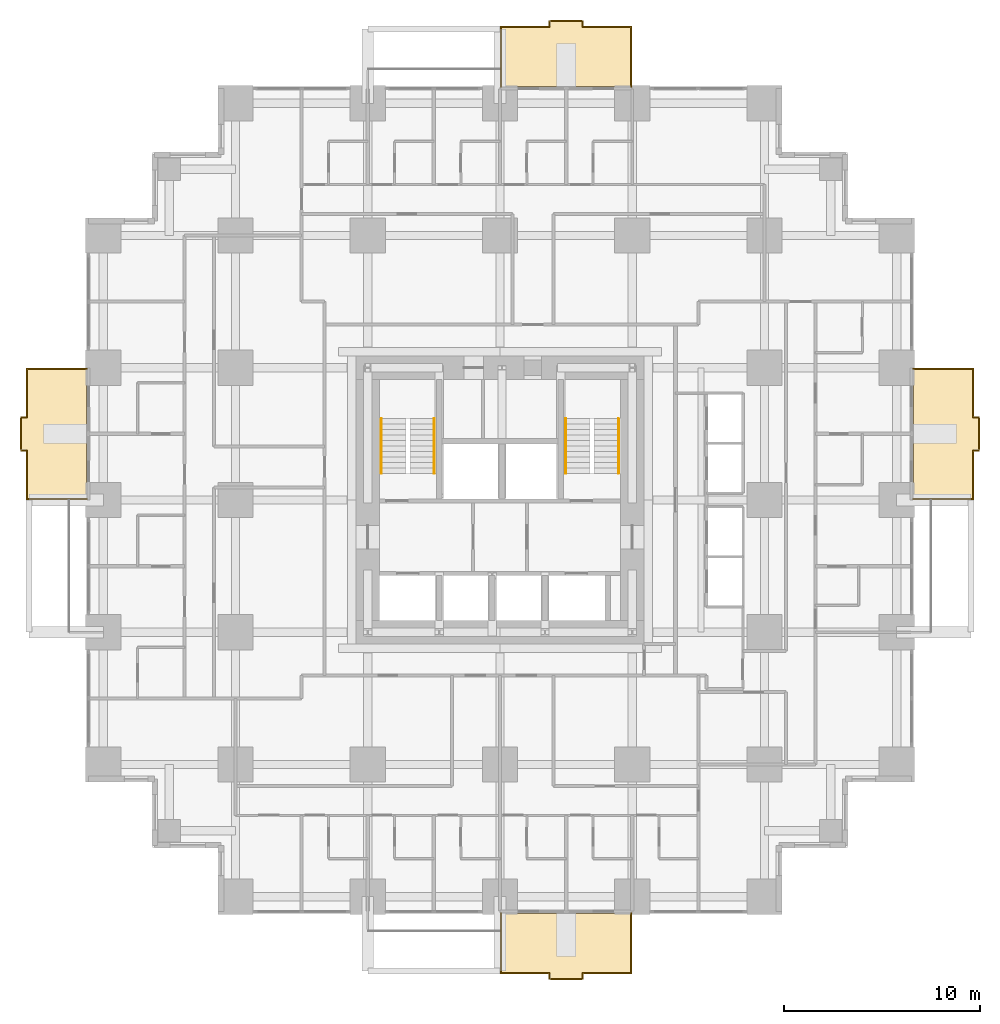
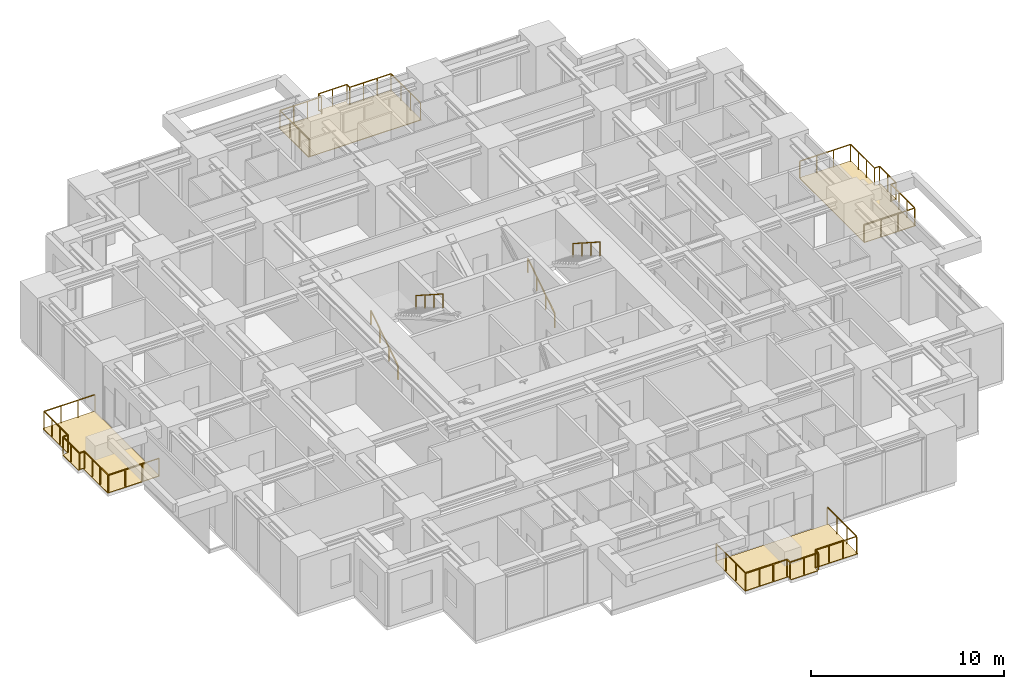
# One storey, part 14 of 14: 8 railings, 4 coverings.
"""IFC4 building model written with IfcOpenShell, lengths in metres."""

from ifc_helpers import new_model, si_unit, direction, frame, origin, origin_2d, place, context, subcontext, project, spatial, polyline, rectangle, outline, extrude, material, layer, layer_set, type_object, element, save


model = new_model("IFC4")

# Units and contexts
model_context = context("Model", 3, precision=1e-05, world=origin(), true_north=direction((0.0, 1.0)))
body_context = subcontext(model_context, "Body", "Model", "MODEL_VIEW")
ifc_project = project(units=[si_unit("LENGTHUNIT", "METRE"), si_unit("AREAUNIT", "SQUARE_METRE"), si_unit("VOLUMEUNIT", "CUBIC_METRE"), si_unit("PLANEANGLEUNIT", "RADIAN"), si_unit("MASSUNIT", "GRAM", prefix="KILO")], contexts=[model_context])

# Site, building, storey
site_placement = place(None, origin())
site = spatial("IfcSite", under=ifc_project, at=site_placement, CompositionType="ELEMENT")
building_placement = place(site_placement, origin())
building = spatial("IfcBuilding", under=site, at=building_placement, Name="Nyansa Garden Tower", CompositionType="ELEMENT")
storey_placement = place(building_placement, frame((0.0, 0.0, 64.800048828125)))
storey = spatial("IfcBuildingStorey", under=building, at=storey_placement, Name="L17", CompositionType="ELEMENT", Elevation=64.800048828125)

# Coverings
ifc_material_1 = material(Name="Hardwood decking on pedestals", Category="wood")
ifc_layer = layer(ifc_material_1, 0.0400390625)
ifc_layer_set = layer_set([ifc_layer], Name="Balcony decking DK40")
covering_type = type_object("IfcCoveringType", Name="Balcony decking DK40", PredefinedType="FLOORING", material=ifc_layer_set)
covering_1_placement = place(storey_placement, frame((0.0, 0.0, -0.0400390625)))
element("IfcCovering", 1, at=covering_1_placement, inside=storey, type_object=covering_type, Name="Balcony decking L17", PredefinedType="FLOORING", context=body_context, shape_type="SweptSolid", body=[
    extrude(outline(polyline([(20.25, -0.85009765625), (27.0, -0.85009765625), (27.0, -3.949951171875), (24.425048828125, -3.949951171875), (24.425048828125, -4.25), (22.824951171875, -4.25), (22.824951171875, -3.949951171875), (20.25, -3.949951171875), (20.25, -0.85009765625)])), origin(), (0.0, 0.0, 1.0), 0.0400390625),
])
covering_2_placement = place(storey_placement, frame((0.0, 0.0, -0.0400390625)))
element("IfcCovering", 2, at=covering_2_placement, inside=storey, type_object=covering_type, Name="Balcony decking L17", PredefinedType="FLOORING", context=body_context, shape_type="SweptSolid", body=[
    extrude(outline(polyline([(41.35009765625, 20.25), (41.35009765625, 27.0), (44.449951171875, 27.0), (44.449951171875, 24.425048828125), (44.75, 24.425048828125), (44.75, 22.824951171875), (44.449951171875, 22.824951171875), (44.449951171875, 20.25), (41.35009765625, 20.25)])), origin(), (0.0, 0.0, 1.0), 0.0400390625),
])
covering_3_placement = place(storey_placement, frame((0.0, 0.0, -0.0400390625)))
element("IfcCovering", 3, at=covering_3_placement, inside=storey, type_object=covering_type, Name="Balcony decking L17", PredefinedType="FLOORING", context=body_context, shape_type="SweptSolid", body=[
    extrude(outline(polyline([(20.25, 41.35009765625), (27.0, 41.35009765625), (27.0, 44.449951171875), (24.425048828125, 44.449951171875), (24.425048828125, 44.75), (22.824951171875, 44.75), (22.824951171875, 44.449951171875), (20.25, 44.449951171875), (20.25, 41.35009765625)])), origin(), (0.0, 0.0, 1.0), 0.0400390625),
])
covering_4_placement = place(storey_placement, frame((0.0, 0.0, -0.0400390625)))
element("IfcCovering", 4, at=covering_4_placement, inside=storey, type_object=covering_type, Name="Balcony decking L17", PredefinedType="FLOORING", context=body_context, shape_type="SweptSolid", body=[
    extrude(outline(polyline([(-0.85009765625, 20.25), (-0.85009765625, 27.0), (-3.949951171875, 27.0), (-3.949951171875, 24.425048828125), (-4.25, 24.425048828125), (-4.25, 22.824951171875), (-3.949951171875, 22.824951171875), (-3.949951171875, 20.25), (-0.85009765625, 20.25)])), origin(), (0.0, 0.0, 1.0), 0.0400390625),
])

# Railings
ifc_material_2 = material(Name="Black powder-coated steel balusters, laminated glass infill", Category="steel")
railing_type_1 = type_object("IfcRailingType", Name="Balcony guard G1", PredefinedType="GUARDRAIL", material=ifc_material_2)
railing_1_placement = place(storey_placement, frame((20.300048828125, -0.85009765625, 0.0)))
element("IfcRailing", 5, at=railing_1_placement, inside=storey, type_object=railing_type_1, Name="Balcony guard L17", PredefinedType="GUARDRAIL", context=body_context, shape_type="SweptSolid", body=[
    extrude(rectangle(XDim=0.048095703125, YDim=0.048095703125, at=origin_2d()), frame((0.0, 0.0, 1.076171875), z_axis=(0.0, -1.0, 0.0), x_axis=(1.0, 0.0, 0.0)), (0.0, 0.0, 1.0), 3.0498046875),
    extrude(rectangle(XDim=0.048095703125, YDim=0.048095703125, at=origin_2d()), frame((0.0, -3.0498046875, 1.076171875), z_axis=(1.0, 0.0, 0.0), x_axis=(0.0, 1.0, 0.0)), (0.0, 0.0, 1.0), 2.474853515625),
    extrude(rectangle(XDim=0.048095703125, YDim=0.048095703125, at=origin_2d()), frame((2.474853515625, -3.0498046875, 1.076171875), z_axis=(0.0, -1.0, 0.0), x_axis=(1.0, 0.0, 0.0)), (0.0, 0.0, 1.0), 0.300048828125),
    extrude(rectangle(XDim=0.048095703125, YDim=0.048095703125, at=origin_2d()), frame((2.474853515625, -3.349853515625, 1.076171875), z_axis=(1.0, 0.0, 0.0), x_axis=(0.0, 1.0, 0.0)), (0.0, 0.0, 1.0), 1.7001953125),
    extrude(rectangle(XDim=0.048095703125, YDim=0.048095703125, at=origin_2d()), frame((4.175048828125, -3.349853515625, 1.076171875), z_axis=(0.0, 1.0, 0.0), x_axis=(-1.0, 0.0, 0.0)), (0.0, 0.0, 1.0), 0.300048828125),
    extrude(rectangle(XDim=0.048095703125, YDim=0.048095703125, at=origin_2d()), frame((4.175048828125, -3.0498046875, 1.076171875), z_axis=(1.0, 0.0, 0.0), x_axis=(0.0, 1.0, 0.0)), (0.0, 0.0, 1.0), 2.474853515625),
    extrude(rectangle(XDim=0.048095703125, YDim=0.048095703125, at=origin_2d()), frame((6.64990234375, -3.0498046875, 1.076171875), z_axis=(0.0, 1.0, 0.0), x_axis=(-1.0, 0.0, 0.0)), (0.0, 0.0, 1.0), 3.0498046875),
    extrude(rectangle(XDim=0.0419921875, YDim=0.0419921875, at=origin_2d()), origin(), (0.0, 0.0, 1.0), 1.052001953125),
    extrude(rectangle(XDim=0.0419921875, YDim=0.0419921875, at=origin_2d()), frame((0.0, -1.0166015625, 0.0)), (0.0, 0.0, 1.0), 1.052001953125),
    extrude(rectangle(XDim=0.0419921875, YDim=0.0419921875, at=origin_2d()), frame((0.0, -2.033203125, 0.0)), (0.0, 0.0, 1.0), 1.052001953125),
    extrude(rectangle(XDim=0.0419921875, YDim=0.0419921875, at=origin_2d()), frame((0.0, -3.0498046875, 0.0)), (0.0, 0.0, 1.0), 1.052001953125),
    extrude(rectangle(XDim=0.0419921875, YDim=0.0419921875, at=origin_2d()), frame((0.824951171875, -3.0498046875, 0.0)), (0.0, 0.0, 1.0), 1.052001953125),
    extrude(rectangle(XDim=0.0419921875, YDim=0.0419921875, at=origin_2d()), frame((1.64990234375, -3.0498046875, 0.0)), (0.0, 0.0, 1.0), 1.052001953125),
    extrude(rectangle(XDim=0.0419921875, YDim=0.0419921875, at=origin_2d()), frame((2.474853515625, -3.0498046875, 0.0)), (0.0, 0.0, 1.0), 1.052001953125),
    extrude(rectangle(XDim=0.0419921875, YDim=0.0419921875, at=origin_2d()), frame((2.474853515625, -3.349853515625, 0.0)), (0.0, 0.0, 1.0), 1.052001953125),
    extrude(rectangle(XDim=0.0419921875, YDim=0.0419921875, at=origin_2d()), frame((3.324951171875, -3.349853515625, 0.0)), (0.0, 0.0, 1.0), 1.052001953125),
    extrude(rectangle(XDim=0.0419921875, YDim=0.0419921875, at=origin_2d()), frame((4.175048828125, -3.349853515625, 0.0)), (0.0, 0.0, 1.0), 1.052001953125),
    extrude(rectangle(XDim=0.0419921875, YDim=0.0419921875, at=origin_2d()), frame((4.175048828125, -3.0498046875, 0.0)), (0.0, 0.0, 1.0), 1.052001953125),
    extrude(rectangle(XDim=0.0419921875, YDim=0.0419921875, at=origin_2d()), frame((5.0, -3.0498046875, 0.0)), (0.0, 0.0, 1.0), 1.052001953125),
    extrude(rectangle(XDim=0.0419921875, YDim=0.0419921875, at=origin_2d()), frame((5.824951171875, -3.0498046875, 0.0)), (0.0, 0.0, 1.0), 1.052001953125),
    extrude(rectangle(XDim=0.0419921875, YDim=0.0419921875, at=origin_2d()), frame((6.64990234375, -3.0498046875, 0.0)), (0.0, 0.0, 1.0), 1.052001953125),
    extrude(rectangle(XDim=0.0419921875, YDim=0.0419921875, at=origin_2d()), frame((6.64990234375, -2.033203125, 0.0)), (0.0, 0.0, 1.0), 1.052001953125),
    extrude(rectangle(XDim=0.0419921875, YDim=0.0419921875, at=origin_2d()), frame((6.64990234375, -1.0166015625, 0.0)), (0.0, 0.0, 1.0), 1.052001953125),
    extrude(rectangle(XDim=0.0419921875, YDim=0.0419921875, at=origin_2d()), frame((6.64990234375, 0.0, 0.0)), (0.0, 0.0, 1.0), 1.052001953125),
])
railing_2_placement = place(storey_placement, frame((41.35009765625, 20.300048828125, 0.0)))
element("IfcRailing", 6, at=railing_2_placement, inside=storey, type_object=railing_type_1, Name="Balcony guard L17", PredefinedType="GUARDRAIL", context=body_context, shape_type="SweptSolid", body=[
    extrude(rectangle(XDim=0.048095703125, YDim=0.048095703125, at=origin_2d()), frame((0.0, 0.0, 1.076171875), z_axis=(1.0, 0.0, 0.0), x_axis=(0.0, 1.0, 0.0)), (0.0, 0.0, 1.0), 3.0498046875),
    extrude(rectangle(XDim=0.048095703125, YDim=0.048095703125, at=origin_2d()), frame((3.0498046875, 0.0, 1.076171875), z_axis=(0.0, 1.0, 0.0), x_axis=(-1.0, 0.0, 0.0)), (0.0, 0.0, 1.0), 2.474853515625),
    extrude(rectangle(XDim=0.048095703125, YDim=0.048095703125, at=origin_2d()), frame((3.0498046875, 2.474853515625, 1.076171875), z_axis=(1.0, 0.0, 0.0), x_axis=(0.0, 1.0, 0.0)), (0.0, 0.0, 1.0), 0.300048828125),
    extrude(rectangle(XDim=0.048095703125, YDim=0.048095703125, at=origin_2d()), frame((3.349853515625, 2.474853515625, 1.076171875), z_axis=(0.0, 1.0, 0.0), x_axis=(-1.0, 0.0, 0.0)), (0.0, 0.0, 1.0), 1.7001953125),
    extrude(rectangle(XDim=0.048095703125, YDim=0.048095703125, at=origin_2d()), frame((3.349853515625, 4.175048828125, 1.076171875), z_axis=(-1.0, 0.0, 0.0), x_axis=(0.0, -1.0, 0.0)), (0.0, 0.0, 1.0), 0.300048828125),
    extrude(rectangle(XDim=0.048095703125, YDim=0.048095703125, at=origin_2d()), frame((3.0498046875, 4.175048828125, 1.076171875), z_axis=(0.0, 1.0, 0.0), x_axis=(-1.0, 0.0, 0.0)), (0.0, 0.0, 1.0), 2.474853515625),
    extrude(rectangle(XDim=0.048095703125, YDim=0.048095703125, at=origin_2d()), frame((3.0498046875, 6.64990234375, 1.076171875), z_axis=(-1.0, 0.0, 0.0), x_axis=(0.0, -1.0, 0.0)), (0.0, 0.0, 1.0), 3.0498046875),
    extrude(rectangle(XDim=0.0419921875, YDim=0.0419921875, at=origin_2d()), origin(), (0.0, 0.0, 1.0), 1.052001953125),
    extrude(rectangle(XDim=0.0419921875, YDim=0.0419921875, at=origin_2d()), frame((1.0166015625, 0.0, 0.0)), (0.0, 0.0, 1.0), 1.052001953125),
    extrude(rectangle(XDim=0.0419921875, YDim=0.0419921875, at=origin_2d()), frame((2.033203125, 0.0, 0.0)), (0.0, 0.0, 1.0), 1.052001953125),
    extrude(rectangle(XDim=0.0419921875, YDim=0.0419921875, at=origin_2d()), frame((3.0498046875, 0.0, 0.0)), (0.0, 0.0, 1.0), 1.052001953125),
    extrude(rectangle(XDim=0.0419921875, YDim=0.0419921875, at=origin_2d()), frame((3.0498046875, 0.824951171875, 0.0)), (0.0, 0.0, 1.0), 1.052001953125),
    extrude(rectangle(XDim=0.0419921875, YDim=0.0419921875, at=origin_2d()), frame((3.0498046875, 1.64990234375, 0.0)), (0.0, 0.0, 1.0), 1.052001953125),
    extrude(rectangle(XDim=0.0419921875, YDim=0.0419921875, at=origin_2d()), frame((3.0498046875, 2.474853515625, 0.0)), (0.0, 0.0, 1.0), 1.052001953125),
    extrude(rectangle(XDim=0.0419921875, YDim=0.0419921875, at=origin_2d()), frame((3.349853515625, 2.474853515625, 0.0)), (0.0, 0.0, 1.0), 1.052001953125),
    extrude(rectangle(XDim=0.0419921875, YDim=0.0419921875, at=origin_2d()), frame((3.349853515625, 3.324951171875, 0.0)), (0.0, 0.0, 1.0), 1.052001953125),
    extrude(rectangle(XDim=0.0419921875, YDim=0.0419921875, at=origin_2d()), frame((3.349853515625, 4.175048828125, 0.0)), (0.0, 0.0, 1.0), 1.052001953125),
    extrude(rectangle(XDim=0.0419921875, YDim=0.0419921875, at=origin_2d()), frame((3.0498046875, 4.175048828125, 0.0)), (0.0, 0.0, 1.0), 1.052001953125),
    extrude(rectangle(XDim=0.0419921875, YDim=0.0419921875, at=origin_2d()), frame((3.0498046875, 5.0, 0.0)), (0.0, 0.0, 1.0), 1.052001953125),
    extrude(rectangle(XDim=0.0419921875, YDim=0.0419921875, at=origin_2d()), frame((3.0498046875, 5.824951171875, 0.0)), (0.0, 0.0, 1.0), 1.052001953125),
    extrude(rectangle(XDim=0.0419921875, YDim=0.0419921875, at=origin_2d()), frame((3.0498046875, 6.64990234375, 0.0)), (0.0, 0.0, 1.0), 1.052001953125),
    extrude(rectangle(XDim=0.0419921875, YDim=0.0419921875, at=origin_2d()), frame((2.033203125, 6.64990234375, 0.0)), (0.0, 0.0, 1.0), 1.052001953125),
    extrude(rectangle(XDim=0.0419921875, YDim=0.0419921875, at=origin_2d()), frame((1.0166015625, 6.64990234375, 0.0)), (0.0, 0.0, 1.0), 1.052001953125),
    extrude(rectangle(XDim=0.0419921875, YDim=0.0419921875, at=origin_2d()), frame((0.0, 6.64990234375, 0.0)), (0.0, 0.0, 1.0), 1.052001953125),
])
railing_3_placement = place(storey_placement, frame((20.300048828125, 41.35009765625, 0.0)))
element("IfcRailing", 7, at=railing_3_placement, inside=storey, type_object=railing_type_1, Name="Balcony guard L17", PredefinedType="GUARDRAIL", context=body_context, shape_type="SweptSolid", body=[
    extrude(rectangle(XDim=0.048095703125, YDim=0.048095703125, at=origin_2d()), frame((0.0, 0.0, 1.076171875), z_axis=(0.0, 1.0, 0.0), x_axis=(-1.0, 0.0, 0.0)), (0.0, 0.0, 1.0), 3.0498046875),
    extrude(rectangle(XDim=0.048095703125, YDim=0.048095703125, at=origin_2d()), frame((0.0, 3.0498046875, 1.076171875), z_axis=(1.0, 0.0, 0.0), x_axis=(0.0, 1.0, 0.0)), (0.0, 0.0, 1.0), 2.474853515625),
    extrude(rectangle(XDim=0.048095703125, YDim=0.048095703125, at=origin_2d()), frame((2.474853515625, 3.0498046875, 1.076171875), z_axis=(0.0, 1.0, 0.0), x_axis=(-1.0, 0.0, 0.0)), (0.0, 0.0, 1.0), 0.300048828125),
    extrude(rectangle(XDim=0.048095703125, YDim=0.048095703125, at=origin_2d()), frame((2.474853515625, 3.349853515625, 1.076171875), z_axis=(1.0, 0.0, 0.0), x_axis=(0.0, 1.0, 0.0)), (0.0, 0.0, 1.0), 1.7001953125),
    extrude(rectangle(XDim=0.048095703125, YDim=0.048095703125, at=origin_2d()), frame((4.175048828125, 3.349853515625, 1.076171875), z_axis=(0.0, -1.0, 0.0), x_axis=(1.0, 0.0, 0.0)), (0.0, 0.0, 1.0), 0.300048828125),
    extrude(rectangle(XDim=0.048095703125, YDim=0.048095703125, at=origin_2d()), frame((4.175048828125, 3.0498046875, 1.076171875), z_axis=(1.0, 0.0, 0.0), x_axis=(0.0, 1.0, 0.0)), (0.0, 0.0, 1.0), 2.474853515625),
    extrude(rectangle(XDim=0.048095703125, YDim=0.048095703125, at=origin_2d()), frame((6.64990234375, 3.0498046875, 1.076171875), z_axis=(0.0, -1.0, 0.0), x_axis=(1.0, 0.0, 0.0)), (0.0, 0.0, 1.0), 3.0498046875),
    extrude(rectangle(XDim=0.0419921875, YDim=0.0419921875, at=origin_2d()), origin(), (0.0, 0.0, 1.0), 1.052001953125),
    extrude(rectangle(XDim=0.0419921875, YDim=0.0419921875, at=origin_2d()), frame((0.0, 1.0166015625, 0.0)), (0.0, 0.0, 1.0), 1.052001953125),
    extrude(rectangle(XDim=0.0419921875, YDim=0.0419921875, at=origin_2d()), frame((0.0, 2.033203125, 0.0)), (0.0, 0.0, 1.0), 1.052001953125),
    extrude(rectangle(XDim=0.0419921875, YDim=0.0419921875, at=origin_2d()), frame((0.0, 3.0498046875, 0.0)), (0.0, 0.0, 1.0), 1.052001953125),
    extrude(rectangle(XDim=0.0419921875, YDim=0.0419921875, at=origin_2d()), frame((0.824951171875, 3.0498046875, 0.0)), (0.0, 0.0, 1.0), 1.052001953125),
    extrude(rectangle(XDim=0.0419921875, YDim=0.0419921875, at=origin_2d()), frame((1.64990234375, 3.0498046875, 0.0)), (0.0, 0.0, 1.0), 1.052001953125),
    extrude(rectangle(XDim=0.0419921875, YDim=0.0419921875, at=origin_2d()), frame((2.474853515625, 3.0498046875, 0.0)), (0.0, 0.0, 1.0), 1.052001953125),
    extrude(rectangle(XDim=0.0419921875, YDim=0.0419921875, at=origin_2d()), frame((2.474853515625, 3.349853515625, 0.0)), (0.0, 0.0, 1.0), 1.052001953125),
    extrude(rectangle(XDim=0.0419921875, YDim=0.0419921875, at=origin_2d()), frame((3.324951171875, 3.349853515625, 0.0)), (0.0, 0.0, 1.0), 1.052001953125),
    extrude(rectangle(XDim=0.0419921875, YDim=0.0419921875, at=origin_2d()), frame((4.175048828125, 3.349853515625, 0.0)), (0.0, 0.0, 1.0), 1.052001953125),
    extrude(rectangle(XDim=0.0419921875, YDim=0.0419921875, at=origin_2d()), frame((4.175048828125, 3.0498046875, 0.0)), (0.0, 0.0, 1.0), 1.052001953125),
    extrude(rectangle(XDim=0.0419921875, YDim=0.0419921875, at=origin_2d()), frame((5.0, 3.0498046875, 0.0)), (0.0, 0.0, 1.0), 1.052001953125),
    extrude(rectangle(XDim=0.0419921875, YDim=0.0419921875, at=origin_2d()), frame((5.824951171875, 3.0498046875, 0.0)), (0.0, 0.0, 1.0), 1.052001953125),
    extrude(rectangle(XDim=0.0419921875, YDim=0.0419921875, at=origin_2d()), frame((6.64990234375, 3.0498046875, 0.0)), (0.0, 0.0, 1.0), 1.052001953125),
    extrude(rectangle(XDim=0.0419921875, YDim=0.0419921875, at=origin_2d()), frame((6.64990234375, 2.033203125, 0.0)), (0.0, 0.0, 1.0), 1.052001953125),
    extrude(rectangle(XDim=0.0419921875, YDim=0.0419921875, at=origin_2d()), frame((6.64990234375, 1.0166015625, 0.0)), (0.0, 0.0, 1.0), 1.052001953125),
    extrude(rectangle(XDim=0.0419921875, YDim=0.0419921875, at=origin_2d()), frame((6.64990234375, 0.0, 0.0)), (0.0, 0.0, 1.0), 1.052001953125),
])
railing_4_placement = place(storey_placement, frame((-0.85009765625, 20.300048828125, 0.0)))
element("IfcRailing", 8, at=railing_4_placement, inside=storey, type_object=railing_type_1, Name="Balcony guard L17", PredefinedType="GUARDRAIL", context=body_context, shape_type="SweptSolid", body=[
    extrude(rectangle(XDim=0.048095703125, YDim=0.048095703125, at=origin_2d()), frame((0.0, 0.0, 1.076171875), z_axis=(-1.0, 0.0, 0.0), x_axis=(0.0, -1.0, 0.0)), (0.0, 0.0, 1.0), 3.0498046875),
    extrude(rectangle(XDim=0.048095703125, YDim=0.048095703125, at=origin_2d()), frame((-3.0498046875, 0.0, 1.076171875), z_axis=(0.0, 1.0, 0.0), x_axis=(-1.0, 0.0, 0.0)), (0.0, 0.0, 1.0), 2.474853515625),
    extrude(rectangle(XDim=0.048095703125, YDim=0.048095703125, at=origin_2d()), frame((-3.0498046875, 2.474853515625, 1.076171875), z_axis=(-1.0, 0.0, 0.0), x_axis=(0.0, -1.0, 0.0)), (0.0, 0.0, 1.0), 0.300048828125),
    extrude(rectangle(XDim=0.048095703125, YDim=0.048095703125, at=origin_2d()), frame((-3.349853515625, 2.474853515625, 1.076171875), z_axis=(0.0, 1.0, 0.0), x_axis=(-1.0, 0.0, 0.0)), (0.0, 0.0, 1.0), 1.7001953125),
    extrude(rectangle(XDim=0.048095703125, YDim=0.048095703125, at=origin_2d()), frame((-3.349853515625, 4.175048828125, 1.076171875), z_axis=(1.0, 0.0, 0.0), x_axis=(0.0, 1.0, 0.0)), (0.0, 0.0, 1.0), 0.300048828125),
    extrude(rectangle(XDim=0.048095703125, YDim=0.048095703125, at=origin_2d()), frame((-3.0498046875, 4.175048828125, 1.076171875), z_axis=(0.0, 1.0, 0.0), x_axis=(-1.0, 0.0, 0.0)), (0.0, 0.0, 1.0), 2.474853515625),
    extrude(rectangle(XDim=0.048095703125, YDim=0.048095703125, at=origin_2d()), frame((-3.0498046875, 6.64990234375, 1.076171875), z_axis=(1.0, 0.0, 0.0), x_axis=(0.0, 1.0, 0.0)), (0.0, 0.0, 1.0), 3.0498046875),
    extrude(rectangle(XDim=0.0419921875, YDim=0.0419921875, at=origin_2d()), origin(), (0.0, 0.0, 1.0), 1.052001953125),
    extrude(rectangle(XDim=0.0419921875, YDim=0.0419921875, at=origin_2d()), frame((-1.0166015625, 0.0, 0.0)), (0.0, 0.0, 1.0), 1.052001953125),
    extrude(rectangle(XDim=0.0419921875, YDim=0.0419921875, at=origin_2d()), frame((-2.033203125, 0.0, 0.0)), (0.0, 0.0, 1.0), 1.052001953125),
    extrude(rectangle(XDim=0.0419921875, YDim=0.0419921875, at=origin_2d()), frame((-3.0498046875, 0.0, 0.0)), (0.0, 0.0, 1.0), 1.052001953125),
    extrude(rectangle(XDim=0.0419921875, YDim=0.0419921875, at=origin_2d()), frame((-3.0498046875, 0.824951171875, 0.0)), (0.0, 0.0, 1.0), 1.052001953125),
    extrude(rectangle(XDim=0.0419921875, YDim=0.0419921875, at=origin_2d()), frame((-3.0498046875, 1.64990234375, 0.0)), (0.0, 0.0, 1.0), 1.052001953125),
    extrude(rectangle(XDim=0.0419921875, YDim=0.0419921875, at=origin_2d()), frame((-3.0498046875, 2.474853515625, 0.0)), (0.0, 0.0, 1.0), 1.052001953125),
    extrude(rectangle(XDim=0.0419921875, YDim=0.0419921875, at=origin_2d()), frame((-3.349853515625, 2.474853515625, 0.0)), (0.0, 0.0, 1.0), 1.052001953125),
    extrude(rectangle(XDim=0.0419921875, YDim=0.0419921875, at=origin_2d()), frame((-3.349853515625, 3.324951171875, 0.0)), (0.0, 0.0, 1.0), 1.052001953125),
    extrude(rectangle(XDim=0.0419921875, YDim=0.0419921875, at=origin_2d()), frame((-3.349853515625, 4.175048828125, 0.0)), (0.0, 0.0, 1.0), 1.052001953125),
    extrude(rectangle(XDim=0.0419921875, YDim=0.0419921875, at=origin_2d()), frame((-3.0498046875, 4.175048828125, 0.0)), (0.0, 0.0, 1.0), 1.052001953125),
    extrude(rectangle(XDim=0.0419921875, YDim=0.0419921875, at=origin_2d()), frame((-3.0498046875, 5.0, 0.0)), (0.0, 0.0, 1.0), 1.052001953125),
    extrude(rectangle(XDim=0.0419921875, YDim=0.0419921875, at=origin_2d()), frame((-3.0498046875, 5.824951171875, 0.0)), (0.0, 0.0, 1.0), 1.052001953125),
    extrude(rectangle(XDim=0.0419921875, YDim=0.0419921875, at=origin_2d()), frame((-3.0498046875, 6.64990234375, 0.0)), (0.0, 0.0, 1.0), 1.052001953125),
    extrude(rectangle(XDim=0.0419921875, YDim=0.0419921875, at=origin_2d()), frame((-2.033203125, 6.64990234375, 0.0)), (0.0, 0.0, 1.0), 1.052001953125),
    extrude(rectangle(XDim=0.0419921875, YDim=0.0419921875, at=origin_2d()), frame((-1.0166015625, 6.64990234375, 0.0)), (0.0, 0.0, 1.0), 1.052001953125),
    extrude(rectangle(XDim=0.0419921875, YDim=0.0419921875, at=origin_2d()), frame((0.0, 6.64990234375, 0.0)), (0.0, 0.0, 1.0), 1.052001953125),
])
ifc_material_3 = material(Name="Black powder-coated steel tube 48 mm", Category="steel")
railing_type_2 = type_object("IfcRailingType", Name="Stair handrail HR1", PredefinedType="HANDRAIL", material=ifc_material_3)
railing_5_placement = place(storey_placement, frame((14.199951171875, 21.60009765625, 0.0)))
element("IfcRailing", 9, at=railing_5_placement, inside=storey, type_object=railing_type_2, Name="Stair S1 handrail L17", PredefinedType="HANDRAIL", context=body_context, shape_type="SweptSolid", body=[
    extrude(rectangle(XDim=0.048095703125, YDim=0.048095703125, at=origin_2d()), frame((0.0, 0.0, 0.8759765625), z_axis=(0.0, 0.841154643086, 0.54079466197), x_axis=(-1.0, 0.0, 0.0)), (0.0, 0.0, 1.0), 3.32861328125),
    extrude(rectangle(XDim=0.0419921875, YDim=0.0419921875, at=origin_2d()), origin(), (0.0, 0.0, 1.0), 0.851806640625),
    extrude(rectangle(XDim=0.0419921875, YDim=0.0419921875, at=origin_2d()), frame((0.0, 0.933349609375, 0.60009765625)), (0.0, 0.0, 1.0), 0.851806640625),
    extrude(rectangle(XDim=0.0419921875, YDim=0.0419921875, at=origin_2d()), frame((0.0, 1.866455078125, 1.199951171875)), (0.0, 0.0, 1.0), 0.851806640625),
    extrude(rectangle(XDim=0.0419921875, YDim=0.0419921875, at=origin_2d()), frame((0.0, 2.7998046875, 1.800048828125)), (0.0, 0.0, 1.0), 0.851806640625),
])
railing_6_placement = place(storey_placement, frame((16.89990234375, 24.39990234375, 1.800048828125)))
element("IfcRailing", 10, at=railing_6_placement, inside=storey, type_object=railing_type_2, Name="Stair S1 handrail L17", PredefinedType="HANDRAIL", context=body_context, shape_type="SweptSolid", body=[
    extrude(rectangle(XDim=0.048095703125, YDim=0.048095703125, at=origin_2d()), frame((0.0, 0.0, 0.8759765625), z_axis=(0.0, -0.841188008214, 0.540742762169), x_axis=(1.0, 0.0, 0.0)), (0.0, 0.0, 1.0), 3.328369140625),
    extrude(rectangle(XDim=0.0419921875, YDim=0.0419921875, at=origin_2d()), origin(), (0.0, 0.0, 1.0), 0.851806640625),
    extrude(rectangle(XDim=0.0419921875, YDim=0.0419921875, at=origin_2d()), frame((0.0, -0.933349609375, 0.599853515625)), (0.0, 0.0, 1.0), 0.851806640625),
    extrude(rectangle(XDim=0.0419921875, YDim=0.0419921875, at=origin_2d()), frame((0.0, -1.866455078125, 1.199951171875)), (0.0, 0.0, 1.0), 0.851806640625),
    extrude(rectangle(XDim=0.0419921875, YDim=0.0419921875, at=origin_2d()), frame((0.0, -2.7998046875, 1.7998046875)), (0.0, 0.0, 1.0), 0.851806640625),
])
railing_7_placement = place(storey_placement, frame((23.60009765625, 21.60009765625, 0.0)))
element("IfcRailing", 11, at=railing_7_placement, inside=storey, type_object=railing_type_2, Name="Stair S2 handrail L17", PredefinedType="HANDRAIL", context=body_context, shape_type="SweptSolid", body=[
    extrude(rectangle(XDim=0.048095703125, YDim=0.048095703125, at=origin_2d()), frame((0.0, 0.0, 0.8759765625), z_axis=(0.0, 0.841154643086, 0.54079466197), x_axis=(-1.0, 0.0, 0.0)), (0.0, 0.0, 1.0), 3.32861328125),
    extrude(rectangle(XDim=0.0419921875, YDim=0.0419921875, at=origin_2d()), origin(), (0.0, 0.0, 1.0), 0.851806640625),
    extrude(rectangle(XDim=0.0419921875, YDim=0.0419921875, at=origin_2d()), frame((0.0, 0.933349609375, 0.60009765625)), (0.0, 0.0, 1.0), 0.851806640625),
    extrude(rectangle(XDim=0.0419921875, YDim=0.0419921875, at=origin_2d()), frame((0.0, 1.866455078125, 1.199951171875)), (0.0, 0.0, 1.0), 0.851806640625),
    extrude(rectangle(XDim=0.0419921875, YDim=0.0419921875, at=origin_2d()), frame((0.0, 2.7998046875, 1.800048828125)), (0.0, 0.0, 1.0), 0.851806640625),
])
railing_8_placement = place(storey_placement, frame((26.300048828125, 24.39990234375, 1.800048828125)))
element("IfcRailing", 12, at=railing_8_placement, inside=storey, type_object=railing_type_2, Name="Stair S2 handrail L17", PredefinedType="HANDRAIL", context=body_context, shape_type="SweptSolid", body=[
    extrude(rectangle(XDim=0.048095703125, YDim=0.048095703125, at=origin_2d()), frame((0.0, 0.0, 0.8759765625), z_axis=(0.0, -0.841188008214, 0.540742762169), x_axis=(1.0, 0.0, 0.0)), (0.0, 0.0, 1.0), 3.328369140625),
    extrude(rectangle(XDim=0.0419921875, YDim=0.0419921875, at=origin_2d()), origin(), (0.0, 0.0, 1.0), 0.851806640625),
    extrude(rectangle(XDim=0.0419921875, YDim=0.0419921875, at=origin_2d()), frame((0.0, -0.933349609375, 0.599853515625)), (0.0, 0.0, 1.0), 0.851806640625),
    extrude(rectangle(XDim=0.0419921875, YDim=0.0419921875, at=origin_2d()), frame((0.0, -1.866455078125, 1.199951171875)), (0.0, 0.0, 1.0), 0.851806640625),
    extrude(rectangle(XDim=0.0419921875, YDim=0.0419921875, at=origin_2d()), frame((0.0, -2.7998046875, 1.7998046875)), (0.0, 0.0, 1.0), 0.851806640625),
])

save(model, "model.ifc")
